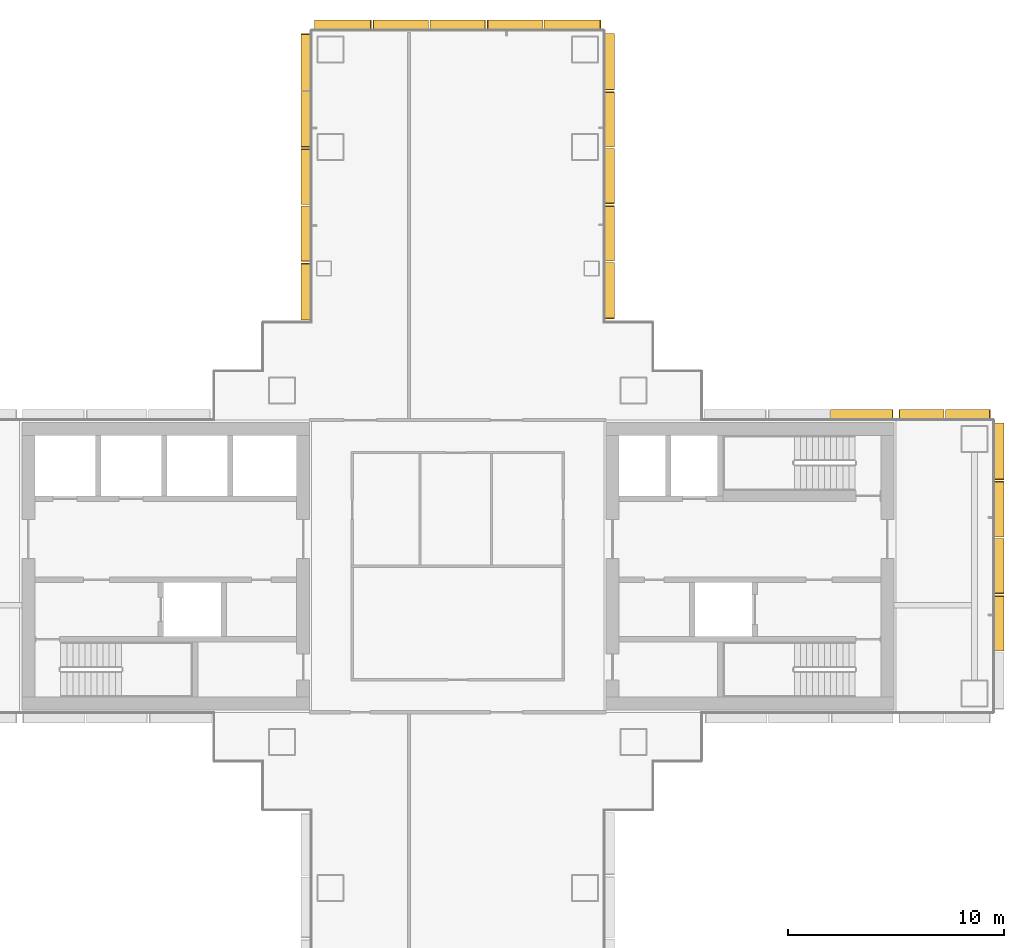
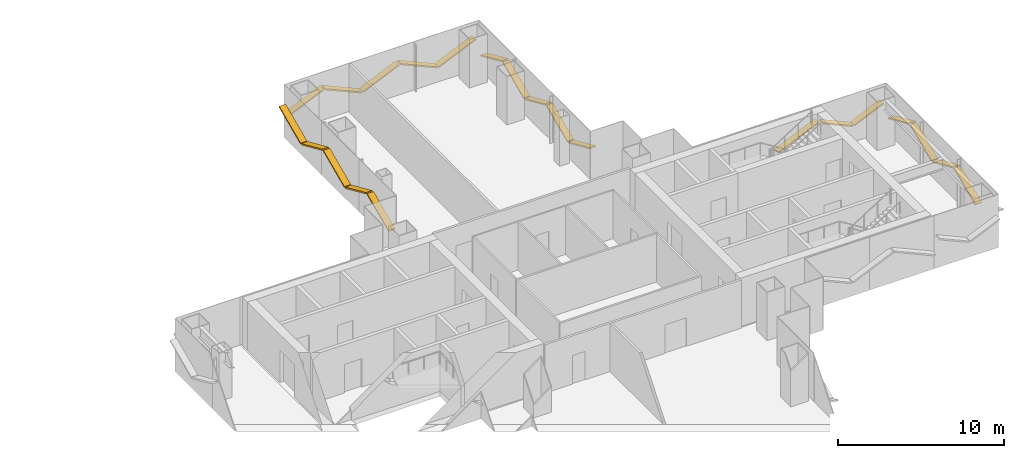
# One storey, part 19 of 20: 22 shading devices.
"""IFC4 building model written with IfcOpenShell, lengths in metres."""

from ifc_helpers import new_model, si_unit, direction, frame, origin, origin_2d, place, context, subcontext, project, spatial, rectangle, extrude, material, material_profile, profile_set, type_object, element, save


model = new_model("IFC4")

# Units and contexts
model_context = context("Model", 3, precision=1e-05, world=origin(), true_north=direction((0.0, 1.0)))
body_context = subcontext(model_context, "Body", "Model", "MODEL_VIEW")
ifc_project = project(units=[si_unit("LENGTHUNIT", "METRE"), si_unit("AREAUNIT", "SQUARE_METRE"), si_unit("VOLUMEUNIT", "CUBIC_METRE"), si_unit("PLANEANGLEUNIT", "RADIAN"), si_unit("MASSUNIT", "GRAM", prefix="KILO")], contexts=[model_context])

# Site, building, storey
site_placement = place(None, origin())
site = spatial("IfcSite", under=ifc_project, at=site_placement, CompositionType="ELEMENT")
building_placement = place(site_placement, origin())
building = spatial("IfcBuilding", under=site, at=building_placement, Name="Shamsa Quay Exchange Towers", CompositionType="ELEMENT")
storey_placement = place(building_placement, frame((0.0, 0.0, 105.300048828125)))
storey = spatial("IfcBuildingStorey", under=building, at=storey_placement, Name="L24", CompositionType="ELEMENT", Elevation=105.300048828125)

# Shading devices
ifc_material = material(Name="Aluminium EN AW-6063 T6, black anodised", Category="aluminium")
ifc_material_profile = material_profile(ifc_material, rectangle(XDim=0.449951171875, YDim=0.10009765625, at=origin_2d()), Name="FIN450x100")
ifc_profile_set = profile_set([ifc_material_profile], Name="Aluminium EN AW-6063 T6, black anodised")
shading_device_type = type_object("IfcShadingDeviceType", Name="FIN 450x100 BLACK ALUMINIUM", PredefinedType="USERDEFINED", material=ifc_profile_set)
shading_device_1_placement = place(storey_placement, frame((58.764892578125, -3.909912109375, 1.034423828125), z_axis=(0.0, 0.913536125794, 0.406757602103), x_axis=(-1.0, 0.0, 0.0)))
element("IfcShadingDevice", 1, at=shading_device_1_placement, inside=storey, type_object=shading_device_type, Name="FIN T2 chevron rib", ObjectType="FIN", PredefinedType="USERDEFINED", context=body_context, shape_type="SweptSolid", body=[
    extrude(rectangle(XDim=0.449951171875, YDim=0.10009765625, at=origin_2d()), origin(), (0.0, 0.0, 1.0), 2.7802734375),
])
shading_device_2_placement = place(storey_placement, frame((58.764892578125, -1.27001953125, 2.165283203125), z_axis=(0.0, 0.913550653139, -0.4067249736), x_axis=(-1.0, 0.0, 0.0)))
element("IfcShadingDevice", 2, at=shading_device_2_placement, inside=storey, type_object=shading_device_type, Name="FIN T2 chevron rib", ObjectType="FIN", PredefinedType="USERDEFINED", context=body_context, shape_type="SweptSolid", body=[
    extrude(rectangle(XDim=0.449951171875, YDim=0.10009765625, at=origin_2d()), origin(), (0.0, 0.0, 1.0), 2.780517578125),
])
shading_device_3_placement = place(storey_placement, frame((58.764892578125, 1.3701171875, 1.034423828125), z_axis=(0.0, 0.913536125794, 0.406757602103), x_axis=(-1.0, 0.0, 0.0)))
element("IfcShadingDevice", 3, at=shading_device_3_placement, inside=storey, type_object=shading_device_type, Name="FIN T2 chevron rib", ObjectType="FIN", PredefinedType="USERDEFINED", context=body_context, shape_type="SweptSolid", body=[
    extrude(rectangle(XDim=0.449951171875, YDim=0.10009765625, at=origin_2d()), origin(), (0.0, 0.0, 1.0), 2.7802734375),
])
shading_device_4_placement = place(storey_placement, frame((58.764892578125, 4.010009765625, 2.176513671875), z_axis=(0.0, 0.91355925163, -0.406705659859), x_axis=(-1.0, 0.0, 0.0)))
element("IfcShadingDevice", 4, at=shading_device_4_placement, inside=storey, type_object=shading_device_type, Name="FIN T2 chevron rib", ObjectType="FIN", PredefinedType="USERDEFINED", context=body_context, shape_type="SweptSolid", body=[
    extrude(rectangle(XDim=0.449951171875, YDim=0.10009765625, at=origin_2d()), origin(), (0.0, 0.0, 1.0), 2.835205078125),
])
for number, where, z_axis, x_axis, name in (
    (5, (58.35009765625, 7.014892578125, 2.056396484375), (-0.913528691757, 0.0, -0.406774297783), (0.0, -1.0, 0.0), "FIN T2 chevron rib"),
    (6, (56.199951171875, 7.014892578125, 1.1435546875), (-0.913528691757, 0.0, 0.406774297783), (0.0, -1.0, 0.0), "FIN T2 chevron rib"),
):
    element("IfcShadingDevice", number, at=place(storey_placement, frame(where, z_axis=z_axis, x_axis=x_axis)), inside=storey, type_object=shading_device_type, Name=name, ObjectType="FIN", PredefinedType="USERDEFINED", context=body_context, shape_type="SweptSolid", body=[
        extrude(rectangle(XDim=0.449951171875, YDim=0.10009765625, at=origin_2d()), origin(), (0.0, 0.0, 1.0), 2.244140625),
    ])
shading_device_5_placement = place(storey_placement, frame((53.85009765625, 7.01904296875, 2.234375), z_axis=(-0.913562893981, 0.0, -0.406697478158), x_axis=(0.0, -1.0, 0.0)))
element("IfcShadingDevice", 7, at=shading_device_5_placement, inside=storey, type_object=shading_device_type, Name="FIN T2 chevron rib", ObjectType="FIN", PredefinedType="USERDEFINED", context=body_context, shape_type="SweptSolid", body=[
    extrude(rectangle(XDim=0.449951171875, YDim=0.10009765625, at=origin_2d()), origin(), (0.0, 0.0, 1.0), 3.119873046875),
])
shading_device_6_placement = place(storey_placement, frame((40.764892578125, 11.43798828125, 2.1748046875), z_axis=(0.0, 0.913565642655, -0.406691303768), x_axis=(-1.0, 0.0, 0.0)))
element("IfcShadingDevice", 8, at=shading_device_6_placement, inside=storey, type_object=shading_device_type, Name="FIN T2 chevron rib", ObjectType="FIN", PredefinedType="USERDEFINED", context=body_context, shape_type="SweptSolid", body=[
    extrude(rectangle(XDim=0.449951171875, YDim=0.10009765625, at=origin_2d()), origin(), (0.0, 0.0, 1.0), 2.826904296875),
])
for number, where, z_axis, x_axis, name in (
    (9, (40.764892578125, 14.120361328125, 1.0361328125), (0.0, 0.913524420232, 0.406783890586), (-1.0, 0.0, 0.0), "FIN T2 chevron rib"),
    (10, (40.764892578125, 16.752685546875, 2.163818359375), (0.0, 0.913524420232, -0.406783890586), (-1.0, 0.0, 0.0), "FIN T2 chevron rib"),
):
    element("IfcShadingDevice", number, at=place(storey_placement, frame(where, z_axis=z_axis, x_axis=x_axis)), inside=storey, type_object=shading_device_type, Name=name, ObjectType="FIN", PredefinedType="USERDEFINED", context=body_context, shape_type="SweptSolid", body=[
        extrude(rectangle(XDim=0.449951171875, YDim=0.10009765625, at=origin_2d()), origin(), (0.0, 0.0, 1.0), 2.772216796875),
    ])
shading_device_7_placement = place(storey_placement, frame((40.764892578125, 19.38525390625, 1.0361328125), z_axis=(0.0, 0.913509845664, 0.406816619468), x_axis=(-1.0, 0.0, 0.0)))
element("IfcShadingDevice", 11, at=shading_device_7_placement, inside=storey, type_object=shading_device_type, Name="FIN T2 chevron rib", ObjectType="FIN", PredefinedType="USERDEFINED", context=body_context, shape_type="SweptSolid", body=[
    extrude(rectangle(XDim=0.449951171875, YDim=0.10009765625, at=origin_2d()), origin(), (0.0, 0.0, 1.0), 2.77197265625),
])
shading_device_8_placement = place(storey_placement, frame((40.764892578125, 22.017578125, 2.1748046875), z_axis=(0.0, 0.913565642655, -0.406691303768), x_axis=(-1.0, 0.0, 0.0)))
element("IfcShadingDevice", 12, at=shading_device_8_placement, inside=storey, type_object=shading_device_type, Name="FIN T2 chevron rib", ObjectType="FIN", PredefinedType="USERDEFINED", context=body_context, shape_type="SweptSolid", body=[
    extrude(rectangle(XDim=0.449951171875, YDim=0.10009765625, at=origin_2d()), origin(), (0.0, 0.0, 1.0), 2.826904296875),
])
shading_device_9_placement = place(storey_placement, frame((40.35009765625, 25.014892578125, 2.176513671875), z_axis=(-0.91355925163, 0.0, -0.406705659859), x_axis=(0.0, -1.0, 0.0)))
element("IfcShadingDevice", 13, at=shading_device_9_placement, inside=storey, type_object=shading_device_type, Name="FIN T2 chevron rib", ObjectType="FIN", PredefinedType="USERDEFINED", context=body_context, shape_type="SweptSolid", body=[
    extrude(rectangle(XDim=0.449951171875, YDim=0.10009765625, at=origin_2d()), origin(), (0.0, 0.0, 1.0), 2.835205078125),
])
shading_device_10_placement = place(storey_placement, frame((37.659912109375, 25.014892578125, 1.034423828125), z_axis=(-0.913536125794, 0.0, 0.406757602103), x_axis=(0.0, -1.0, 0.0)))
element("IfcShadingDevice", 14, at=shading_device_10_placement, inside=storey, type_object=shading_device_type, Name="FIN T2 chevron rib", ObjectType="FIN", PredefinedType="USERDEFINED", context=body_context, shape_type="SweptSolid", body=[
    extrude(rectangle(XDim=0.449951171875, YDim=0.10009765625, at=origin_2d()), origin(), (0.0, 0.0, 1.0), 2.7802734375),
])
shading_device_11_placement = place(storey_placement, frame((35.02001953125, 25.014892578125, 2.165283203125), z_axis=(-0.913550653139, 0.0, -0.4067249736), x_axis=(0.0, -1.0, 0.0)))
element("IfcShadingDevice", 15, at=shading_device_11_placement, inside=storey, type_object=shading_device_type, Name="FIN T2 chevron rib", ObjectType="FIN", PredefinedType="USERDEFINED", context=body_context, shape_type="SweptSolid", body=[
    extrude(rectangle(XDim=0.449951171875, YDim=0.10009765625, at=origin_2d()), origin(), (0.0, 0.0, 1.0), 2.780517578125),
])
shading_device_12_placement = place(storey_placement, frame((32.3798828125, 25.014892578125, 1.034423828125), z_axis=(-0.913536125794, 0.0, 0.406757602103), x_axis=(0.0, -1.0, 0.0)))
element("IfcShadingDevice", 16, at=shading_device_12_placement, inside=storey, type_object=shading_device_type, Name="FIN T2 chevron rib", ObjectType="FIN", PredefinedType="USERDEFINED", context=body_context, shape_type="SweptSolid", body=[
    extrude(rectangle(XDim=0.449951171875, YDim=0.10009765625, at=origin_2d()), origin(), (0.0, 0.0, 1.0), 2.7802734375),
])
for number, where, z_axis, x_axis, name in (
    (17, (29.739990234375, 25.014892578125, 2.176513671875), (-0.91355925163, 0.0, -0.406705659859), (0.0, -1.0, 0.0), "FIN T2 chevron rib"),
    (18, (26.735107421875, 24.60009765625, 2.176513671875), (0.0, -0.91355925163, -0.406705659859), (1.0, 0.0, 0.0), "FIN T2 chevron rib"),
):
    element("IfcShadingDevice", number, at=place(storey_placement, frame(where, z_axis=z_axis, x_axis=x_axis)), inside=storey, type_object=shading_device_type, Name=name, ObjectType="FIN", PredefinedType="USERDEFINED", context=body_context, shape_type="SweptSolid", body=[
        extrude(rectangle(XDim=0.449951171875, YDim=0.10009765625, at=origin_2d()), origin(), (0.0, 0.0, 1.0), 2.835205078125),
    ])
shading_device_13_placement = place(storey_placement, frame((26.735107421875, 21.909912109375, 1.034423828125), z_axis=(0.0, -0.913536125794, 0.406757602103), x_axis=(1.0, 0.0, 0.0)))
element("IfcShadingDevice", 19, at=shading_device_13_placement, inside=storey, type_object=shading_device_type, Name="FIN T2 chevron rib", ObjectType="FIN", PredefinedType="USERDEFINED", context=body_context, shape_type="SweptSolid", body=[
    extrude(rectangle(XDim=0.449951171875, YDim=0.10009765625, at=origin_2d()), origin(), (0.0, 0.0, 1.0), 2.7802734375),
])
shading_device_14_placement = place(storey_placement, frame((26.735107421875, 19.27001953125, 2.165283203125), z_axis=(0.0, -0.913550653139, -0.4067249736), x_axis=(1.0, 0.0, 0.0)))
element("IfcShadingDevice", 20, at=shading_device_14_placement, inside=storey, type_object=shading_device_type, Name="FIN T2 chevron rib", ObjectType="FIN", PredefinedType="USERDEFINED", context=body_context, shape_type="SweptSolid", body=[
    extrude(rectangle(XDim=0.449951171875, YDim=0.10009765625, at=origin_2d()), origin(), (0.0, 0.0, 1.0), 2.780517578125),
])
shading_device_15_placement = place(storey_placement, frame((26.735107421875, 16.6298828125, 1.034423828125), z_axis=(0.0, -0.913536125794, 0.406757602103), x_axis=(1.0, 0.0, 0.0)))
element("IfcShadingDevice", 21, at=shading_device_15_placement, inside=storey, type_object=shading_device_type, Name="FIN T2 chevron rib", ObjectType="FIN", PredefinedType="USERDEFINED", context=body_context, shape_type="SweptSolid", body=[
    extrude(rectangle(XDim=0.449951171875, YDim=0.10009765625, at=origin_2d()), origin(), (0.0, 0.0, 1.0), 2.7802734375),
])
shading_device_16_placement = place(storey_placement, frame((26.735107421875, 13.989990234375, 2.176513671875), z_axis=(0.0, -0.91355925163, -0.406705659859), x_axis=(1.0, 0.0, 0.0)))
element("IfcShadingDevice", 22, at=shading_device_16_placement, inside=storey, type_object=shading_device_type, Name="FIN T2 chevron rib", ObjectType="FIN", PredefinedType="USERDEFINED", context=body_context, shape_type="SweptSolid", body=[
    extrude(rectangle(XDim=0.449951171875, YDim=0.10009765625, at=origin_2d()), origin(), (0.0, 0.0, 1.0), 2.835205078125),
])

save(model, "model.ifc")
